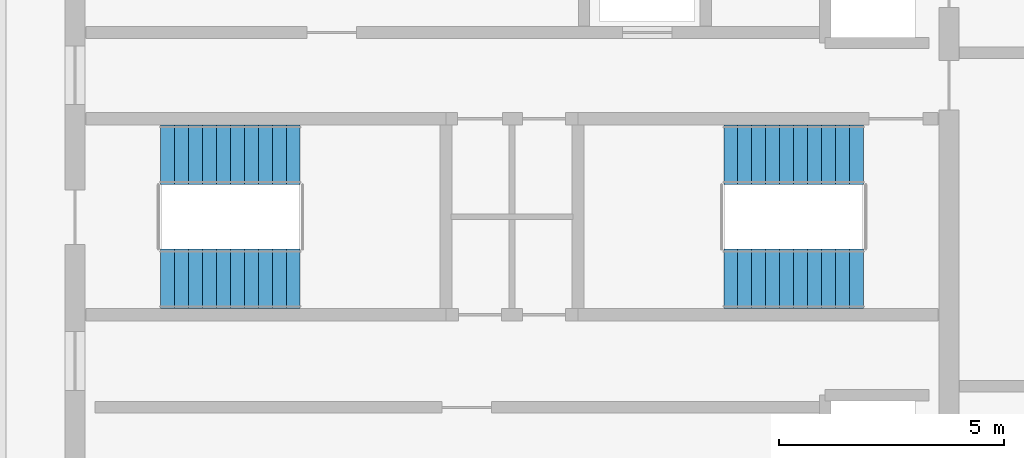
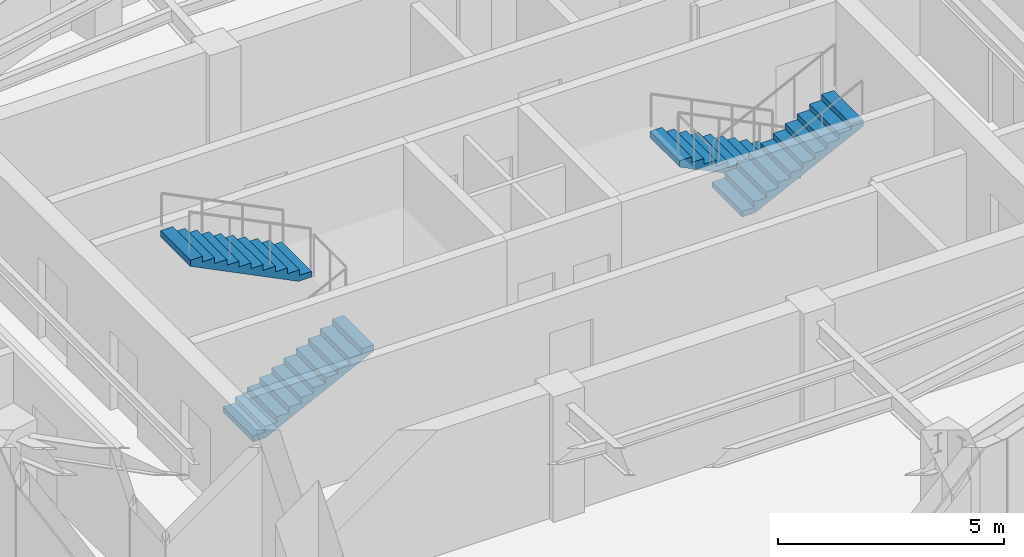
# One storey, part 4 of 5: 4 stair flights, 2 elements without a shape of their own.
"""IFC4 building model written with IfcOpenShell, lengths in metres."""

from ifc_helpers import new_model, si_unit, direction, frame, origin, place, context, subcontext, project, spatial, polyline, outline, extrude, material, type_object, element, aggregate, save


model = new_model("IFC4")

# Units and contexts
model_context = context("Model", 3, precision=1e-05, world=origin(), true_north=direction((0.0, 1.0)))
body_context = subcontext(model_context, "Body", "Model", "MODEL_VIEW")
ifc_project = project(units=[si_unit("LENGTHUNIT", "METRE"), si_unit("AREAUNIT", "SQUARE_METRE"), si_unit("VOLUMEUNIT", "CUBIC_METRE"), si_unit("PLANEANGLEUNIT", "RADIAN"), si_unit("MASSUNIT", "GRAM", prefix="KILO")], contexts=[model_context])

# Site, building, storey
site_placement = place(None, origin())
site = spatial("IfcSite", under=ifc_project, at=site_placement, CompositionType="ELEMENT")
building_placement = place(site_placement, origin())
building = spatial("IfcBuilding", under=site, at=building_placement, Name="Lazwardi Medical Tower", CompositionType="ELEMENT")
storey_placement = place(building_placement, frame((0.0, 0.0, 305.8359375)))
storey = spatial("IfcBuildingStorey", under=building, at=storey_placement, Name="L80", CompositionType="ELEMENT", Elevation=305.8359375)

# Stair, stair flights
ifc_material = material(Name="Concrete C45/55", Category="concrete")
stair_type = type_object("IfcStairType", Name="STR-CRN", PredefinedType="HALF_TURN_STAIR", material=ifc_material)
stair_1_placement = place(storey_placement, origin())
stair_1 = element("IfcStair", 1, at=stair_1_placement, inside=storey, type_object=stair_type, Name="L80 Protected Exit Stair ST1", PredefinedType="HALF_TURN_STAIR")
stair_flight_type = type_object("IfcStairFlightType", Name="FLT-CRN", PredefinedType="STRAIGHT", material=ifc_material)
stair_flight_1_placement = place(storey_placement, frame((28.199951171875, 26.679931640625, 0.0), z_axis=(0.0, 0.0, 1.0), x_axis=(1.0, 0.0, 0.0)))
stair_flight_1 = element("IfcStairFlight", 2, at=stair_flight_1_placement, type_object=stair_flight_type, Name="ST1 flight 1", NumberOfRisers=11, NumberOfTreads=10, PredefinedType="STRAIGHT", RiserHeight=0.154, TreadLength=0.31, context=body_context, shape_type="SweptSolid", body=[
    extrude(outline(polyline([(0.0, 0.0), (0.0, 0.154052734375), (0.31005859375, 0.154052734375), (0.31005859375, 0.30810546875), (0.6201171875, 0.30810546875), (0.6201171875, 0.4619140625), (0.929931640625, 0.4619140625), (0.929931640625, 0.615966796875), (1.239990234375, 0.615966796875), (1.239990234375, 0.77001953125), (1.550048828125, 0.77001953125), (1.550048828125, 0.924072265625), (1.860107421875, 0.924072265625), (1.860107421875, 1.077880859375), (2.169921875, 1.077880859375), (2.169921875, 1.23193359375), (2.47998046875, 1.23193359375), (2.47998046875, 1.385986328125), (2.7900390625, 1.385986328125), (2.7900390625, 1.5400390625), (3.10009765625, 1.5400390625), (3.10009765625, 1.694091796875), (3.10009765625, 1.37255859375), (0.3369140625, 0.0), (0.0, 0.0)])), frame((0.0, 0.66015625, 0.0), z_axis=(0.0, -1.0, 0.0), x_axis=(1.0, 0.0, 0.0)), (0.0, 0.0, 1.0), 1.320068359375),
])
stair_flight_2_placement = place(storey_placement, frame((31.300048828125, 29.43994140625, 1.694091796875), z_axis=(0.0, 0.0, 1.0), x_axis=(-1.0, 0.0, 0.0)))
stair_flight_2 = element("IfcStairFlight", 3, at=stair_flight_2_placement, type_object=stair_flight_type, Name="ST1 flight 2", NumberOfRisers=11, NumberOfTreads=10, PredefinedType="STRAIGHT", RiserHeight=0.154, TreadLength=0.31, context=body_context, shape_type="SweptSolid", body=[
    extrude(outline(polyline([(0.0, 0.0), (0.0, 0.154052734375), (0.31005859375, 0.154052734375), (0.31005859375, 0.30810546875), (0.6201171875, 0.30810546875), (0.6201171875, 0.4619140625), (0.929931640625, 0.4619140625), (0.929931640625, 0.615966796875), (1.239990234375, 0.615966796875), (1.239990234375, 0.77001953125), (1.550048828125, 0.77001953125), (1.550048828125, 0.924072265625), (1.860107421875, 0.924072265625), (1.860107421875, 1.077880859375), (2.169921875, 1.077880859375), (2.169921875, 1.23193359375), (2.47998046875, 1.23193359375), (2.47998046875, 1.385986328125), (2.7900390625, 1.385986328125), (2.7900390625, 1.5400390625), (3.10009765625, 1.5400390625), (3.10009765625, 1.694091796875), (3.10009765625, 1.37255859375), (0.3369140625, 0.0), (0.0, 0.0)])), frame((0.0, 0.66015625, 0.0), z_axis=(0.0, -1.0, 0.0), x_axis=(1.0, 0.0, 0.0)), (0.0, 0.0, 1.0), 1.320068359375),
])
aggregate(stair_1, [stair_flight_1, stair_flight_2])

stair_2_placement = place(storey_placement, origin())
stair_2 = element("IfcStair", 4, at=stair_2_placement, inside=storey, type_object=stair_type, Name="L80 Protected Exit Stair ST2", PredefinedType="HALF_TURN_STAIR")
stair_flight_3_placement = place(storey_placement, frame((43.800048828125, 29.43994140625, 0.0), z_axis=(0.0, 0.0, 1.0), x_axis=(-1.0, 0.0, 0.0)))
stair_flight_3 = element("IfcStairFlight", 5, at=stair_flight_3_placement, type_object=stair_flight_type, Name="ST2 flight 1", NumberOfRisers=11, NumberOfTreads=10, PredefinedType="STRAIGHT", RiserHeight=0.154, TreadLength=0.31, context=body_context, shape_type="SweptSolid", body=[
    extrude(outline(polyline([(0.0, 0.0), (0.0, 0.154052734375), (0.31005859375, 0.154052734375), (0.31005859375, 0.30810546875), (0.6201171875, 0.30810546875), (0.6201171875, 0.4619140625), (0.929931640625, 0.4619140625), (0.929931640625, 0.615966796875), (1.239990234375, 0.615966796875), (1.239990234375, 0.77001953125), (1.550048828125, 0.77001953125), (1.550048828125, 0.924072265625), (1.860107421875, 0.924072265625), (1.860107421875, 1.077880859375), (2.169921875, 1.077880859375), (2.169921875, 1.23193359375), (2.47998046875, 1.23193359375), (2.47998046875, 1.385986328125), (2.7900390625, 1.385986328125), (2.7900390625, 1.5400390625), (3.10009765625, 1.5400390625), (3.10009765625, 1.694091796875), (3.10009765625, 1.37255859375), (0.3369140625, 0.0), (0.0, 0.0)])), frame((0.0, 0.66015625, 0.0), z_axis=(0.0, -1.0, 0.0), x_axis=(1.0, 0.0, 0.0)), (0.0, 0.0, 1.0), 1.320068359375),
])
stair_flight_4_placement = place(storey_placement, frame((40.699951171875, 26.679931640625, 1.694091796875), z_axis=(0.0, 0.0, 1.0), x_axis=(1.0, 0.0, 0.0)))
stair_flight_4 = element("IfcStairFlight", 6, at=stair_flight_4_placement, type_object=stair_flight_type, Name="ST2 flight 2", NumberOfRisers=11, NumberOfTreads=10, PredefinedType="STRAIGHT", RiserHeight=0.154, TreadLength=0.31, context=body_context, shape_type="SweptSolid", body=[
    extrude(outline(polyline([(0.0, 0.0), (0.0, 0.154052734375), (0.31005859375, 0.154052734375), (0.31005859375, 0.30810546875), (0.6201171875, 0.30810546875), (0.6201171875, 0.4619140625), (0.929931640625, 0.4619140625), (0.929931640625, 0.615966796875), (1.239990234375, 0.615966796875), (1.239990234375, 0.77001953125), (1.550048828125, 0.77001953125), (1.550048828125, 0.924072265625), (1.860107421875, 0.924072265625), (1.860107421875, 1.077880859375), (2.169921875, 1.077880859375), (2.169921875, 1.23193359375), (2.47998046875, 1.23193359375), (2.47998046875, 1.385986328125), (2.7900390625, 1.385986328125), (2.7900390625, 1.5400390625), (3.10009765625, 1.5400390625), (3.10009765625, 1.694091796875), (3.10009765625, 1.37255859375), (0.3369140625, 0.0), (0.0, 0.0)])), frame((0.0, 0.66015625, 0.0), z_axis=(0.0, -1.0, 0.0), x_axis=(1.0, 0.0, 0.0)), (0.0, 0.0, 1.0), 1.320068359375),
])
aggregate(stair_2, [stair_flight_3, stair_flight_4])

save(model, "model.ifc")
